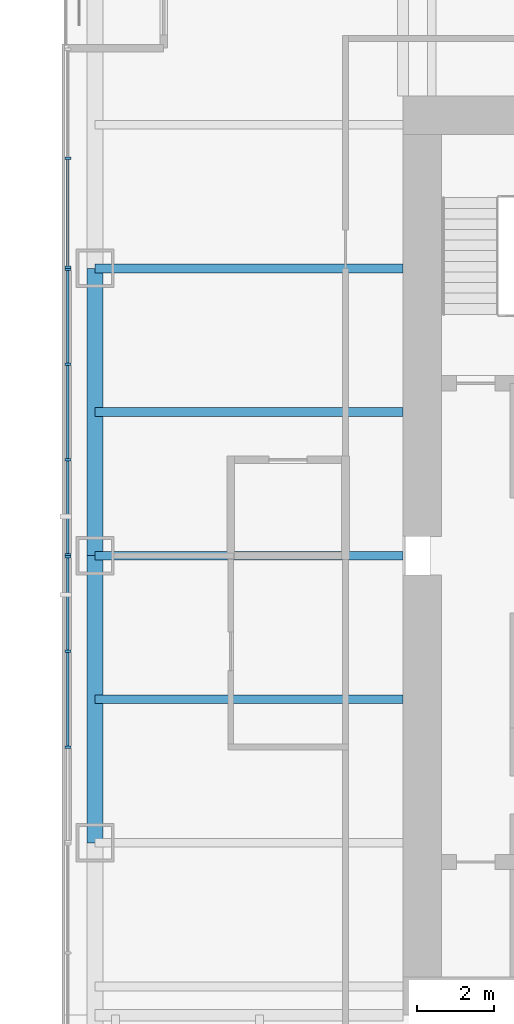
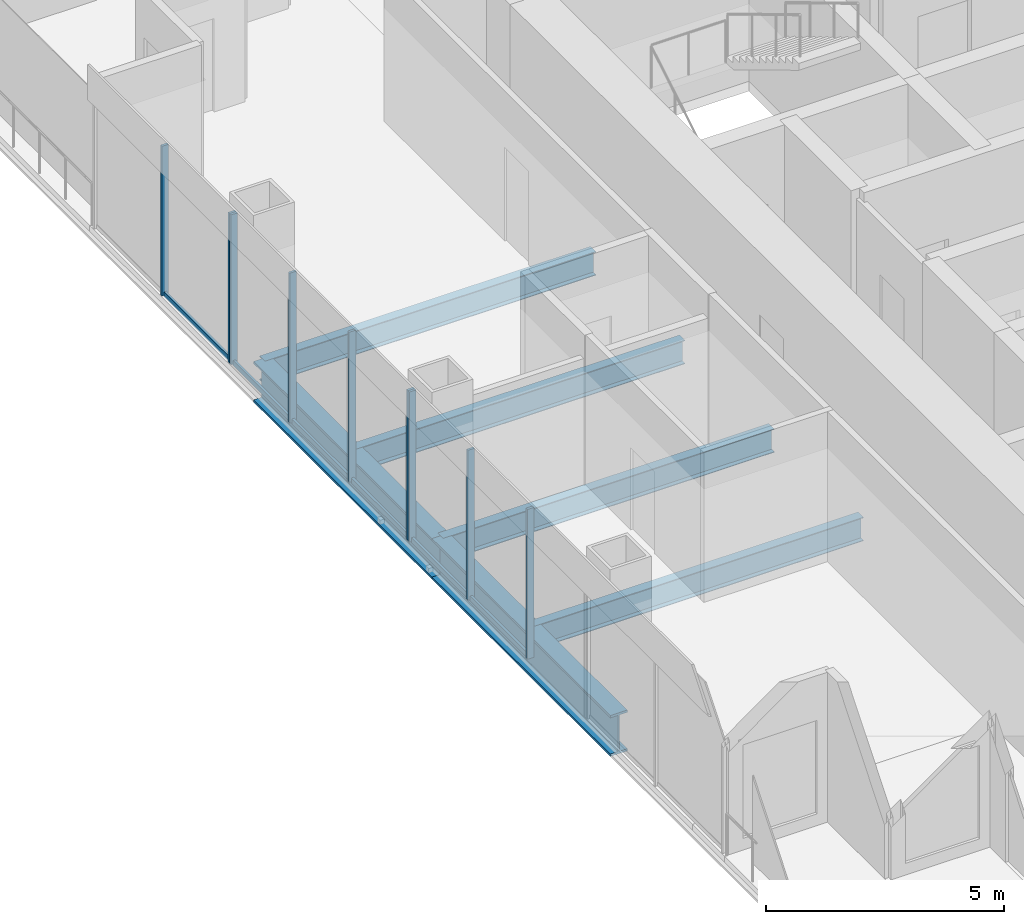
# One storey, part 4 of 14: 15 members, 6 beams, 3 elements without a shape of their own.
"""IFC4 building model written with IfcOpenShell, lengths in metres."""

from ifc_helpers import new_model, si_unit, direction, frame, origin, origin_2d, place, context, subcontext, project, spatial, rectangle, i_section, extrude, material, material_profile, profile_set, type_object, element, aggregate, save


model = new_model("IFC4")

# Units and contexts
model_context = context("Model", 3, precision=1e-05, world=origin(), true_north=direction((0.0, 1.0)))
body_context = subcontext(model_context, "Body", "Model", "MODEL_VIEW")
ifc_project = project(units=[si_unit("LENGTHUNIT", "METRE"), si_unit("AREAUNIT", "SQUARE_METRE"), si_unit("VOLUMEUNIT", "CUBIC_METRE"), si_unit("PLANEANGLEUNIT", "RADIAN"), si_unit("MASSUNIT", "GRAM", prefix="KILO")], contexts=[model_context])

# Site, building, storey
site_placement = place(None, origin())
site = spatial("IfcSite", under=ifc_project, at=site_placement, CompositionType="ELEMENT")
building_placement = place(site_placement, origin())
building = spatial("IfcBuilding", under=site, at=building_placement, Name="Tarangal Relay Tower", CompositionType="ELEMENT")
storey_placement = place(building_placement, frame((0.0, 0.0, 279.89990234375)))
storey = spatial("IfcBuildingStorey", under=building, at=storey_placement, Name="L61", CompositionType="ELEMENT", Elevation=279.89990234375)

# Beams
ifc_material_1 = material(Name="Steel ASTM A992", Category="steel")
ifc_material_profile_1 = material_profile(ifc_material_1, i_section(OverallWidth=0.41162109375, OverallDepth=1.049072265625, WebThickness=0.033935546875, FlangeThickness=0.059814453125, at=origin_2d()), Name="W40X431")
ifc_profile_set_1 = profile_set([ifc_material_profile_1], Name="Steel ASTM A992")
beam_type_1 = type_object("IfcBeamType", Name="Edge girder W40X431", PredefinedType="SPANDREL", material=ifc_profile_set_1)
for number, where, z_axis, x_axis, name in (
    (1, (-20.0400390625, -7.5, -0.67431640625), (0.0, 1.0, 0.0), (-1.0, 0.0, 0.0), "Edge girder EG1 W L61"),
    (2, (-20.0400390625, 0.0, -0.67431640625), (0.0, 1.0, 0.0), (-1.0, 0.0, 0.0), "Edge girder EG1 W L61"),
):
    element("IfcBeam", number, at=place(storey_placement, frame(where, z_axis=z_axis, x_axis=x_axis)), inside=storey, type_object=beam_type_1, Name=name, PredefinedType="SPANDREL", context=body_context, shape_type="SweptSolid", body=[
        extrude(i_section(OverallWidth=0.41162109375, OverallDepth=1.049072265625, WebThickness=0.033935546875, FlangeThickness=0.059814453125, at=origin_2d()), origin(), (0.0, 0.0, 1.0), 7.5),
    ])
ifc_material_profile_2 = material_profile(ifc_material_1, i_section(OverallWidth=0.228271484375, OverallDepth=0.607177734375, WebThickness=0.01123046875, FlangeThickness=0.017333984375, at=origin_2d()), Name="W24X76")
ifc_profile_set_2 = profile_set([ifc_material_profile_2], Name="Steel ASTM A992")
beam_type_2 = type_object("IfcBeamType", Name="Floor beam W24X76", PredefinedType="BEAM", material=ifc_profile_set_2)
for number, where, z_axis, x_axis, name in (
    (3, (-12.0, -3.75, -0.453369140625), (-1.0, 0.0, 0.0), (0.0, -1.0, 0.0), "Floor beam RB5 W L61"),
    (4, (-12.0, 0.0, -0.453369140625), (-1.0, 0.0, 0.0), (0.0, -1.0, 0.0), "Floor beam RB5 W L61"),
    (5, (-12.0, 3.75, -0.453369140625), (-1.0, 0.0, 0.0), (0.0, -1.0, 0.0), "Floor beam RB5 W L61"),
    (6, (-12.0, 7.5, -0.453369140625), (-1.0, 0.0, 0.0), (0.0, -1.0, 0.0), "Floor beam RB5 W L61"),
):
    element("IfcBeam", number, at=place(storey_placement, frame(where, z_axis=z_axis, x_axis=x_axis)), inside=storey, type_object=beam_type_2, Name=name, PredefinedType="BEAM", context=body_context, shape_type="SweptSolid", body=[
        extrude(i_section(OverallWidth=0.228271484375, OverallDepth=0.607177734375, WebThickness=0.01123046875, FlangeThickness=0.017333984375, at=origin_2d()), origin(), (0.0, 0.0, 1.0), 8.0400390625),
    ])

# Curtain wall, members
ifc_material_2 = material(Name="Unitised curtain wall, dark glass and black aluminium", Category="aluminium")
curtain_wall_type_1 = type_object("IfcCurtainWallType", Name="Curtain wall CW-B", PredefinedType="USERDEFINED", material=ifc_material_2)
curtain_wall_1_placement = place(storey_placement, origin())
curtain_wall_1 = element("IfcCurtainWall", 7, at=curtain_wall_1_placement, inside=storey, type_object=curtain_wall_type_1, Name="Curtain wall CW-B W facade L61", ObjectType="UNITISED CURTAIN WALL", PredefinedType="USERDEFINED")
ifc_material_3 = material(Name="Black anodised aluminium mullion", Category="aluminium")
ifc_material_profile_3 = material_profile(ifc_material_3, rectangle(XDim=0.159912109375, YDim=0.06005859375, at=origin_2d()), Name="CW-BM 60X160")
ifc_profile_set_3 = profile_set([ifc_material_profile_3], Name="Black anodised aluminium mullion")
member_type_1 = type_object("IfcMemberType", Name="Mullion CW-B 60 x 160", PredefinedType="MULLION", material=ifc_profile_set_3)
member_1_placement = place(storey_placement, frame((-20.75, 7.530029296875, 0.0), z_axis=(0.0, 0.0, 1.0), x_axis=(-1.0, 0.0, 0.0)))
member_1 = element("IfcMember", 8, at=member_1_placement, type_object=member_type_1, Name="CW-B mullion 1", PredefinedType="MULLION", context=body_context, shape_type="SweptSolid", body=[
    extrude(rectangle(XDim=0.159912109375, YDim=0.06005859375, at=origin_2d()), origin(), (0.0, 0.0, 1.0), 3.85009765625),
])
member_2_placement = place(storey_placement, frame((-20.75, 10.375, 0.0), z_axis=(0.0, 0.0, 1.0), x_axis=(-1.0, 0.0, 0.0)))
member_2 = element("IfcMember", 9, at=member_2_placement, type_object=member_type_1, Name="CW-B mullion 2", PredefinedType="MULLION", context=body_context, shape_type="SweptSolid", body=[
    extrude(rectangle(XDim=0.159912109375, YDim=0.06005859375, at=origin_2d()), origin(), (0.0, 0.0, 1.0), 3.85009765625),
])

ifc_material_4 = material(Name="Unitised curtain wall frame, black aluminium, with metal clad infill walls", Category="aluminium")
curtain_wall_type_2 = type_object("IfcCurtainWallType", Name="Curtain wall CW-BO", PredefinedType="USERDEFINED", material=ifc_material_4)
curtain_wall_2_placement = place(storey_placement, origin())
curtain_wall_2 = element("IfcCurtainWall", 10, at=curtain_wall_2_placement, inside=storey, type_object=curtain_wall_type_2, Name="Curtain wall CW-BO W facade L61", ObjectType="UNITISED CURTAIN WALL", PredefinedType="USERDEFINED")
ifc_material_profile_4 = material_profile(ifc_material_3, rectangle(XDim=0.159912109375, YDim=0.06005859375, at=origin_2d()), Name="CW-BOM 60X160")
ifc_profile_set_4 = profile_set([ifc_material_profile_4], Name="Black anodised aluminium mullion")
member_type_2 = type_object("IfcMemberType", Name="Mullion CW-BO 60 x 160", PredefinedType="MULLION", material=ifc_profile_set_4)
member_3_placement = place(storey_placement, frame((-20.75, -5.0, 0.0), z_axis=(0.0, 0.0, 1.0), x_axis=(-1.0, 0.0, 0.0)))
member_3 = element("IfcMember", 11, at=member_3_placement, type_object=member_type_2, Name="CW-BO mullion 2", PredefinedType="MULLION", context=body_context, shape_type="SweptSolid", body=[
    extrude(rectangle(XDim=0.159912109375, YDim=0.06005859375, at=origin_2d()), origin(), (0.0, 0.0, 1.0), 3.85009765625),
])
member_4_placement = place(storey_placement, frame((-20.75, -2.5, 0.0), z_axis=(0.0, 0.0, 1.0), x_axis=(-1.0, 0.0, 0.0)))
member_4 = element("IfcMember", 12, at=member_4_placement, type_object=member_type_2, Name="CW-BO mullion 3", PredefinedType="MULLION", context=body_context, shape_type="SweptSolid", body=[
    extrude(rectangle(XDim=0.159912109375, YDim=0.06005859375, at=origin_2d()), origin(), (0.0, 0.0, 1.0), 3.85009765625),
])
member_5_placement = place(storey_placement, frame((-20.75, -0.030029296875, 0.0), z_axis=(0.0, 0.0, 1.0), x_axis=(-1.0, 0.0, 0.0)))
member_5 = element("IfcMember", 13, at=member_5_placement, type_object=member_type_2, Name="CW-BO mullion 4", PredefinedType="MULLION", context=body_context, shape_type="SweptSolid", body=[
    extrude(rectangle(XDim=0.159912109375, YDim=0.06005859375, at=origin_2d()), origin(), (0.0, 0.0, 1.0), 3.85009765625),
])

curtain_wall_3_placement = place(storey_placement, origin())
curtain_wall_3 = element("IfcCurtainWall", 14, at=curtain_wall_3_placement, inside=storey, type_object=curtain_wall_type_2, Name="Curtain wall CW-BO W facade L61", ObjectType="UNITISED CURTAIN WALL", PredefinedType="USERDEFINED")
member_6_placement = place(storey_placement, frame((-20.75, 0.030029296875, 0.0), z_axis=(0.0, 0.0, 1.0), x_axis=(-1.0, 0.0, 0.0)))
member_6 = element("IfcMember", 15, at=member_6_placement, type_object=member_type_2, Name="CW-BO mullion 1", PredefinedType="MULLION", context=body_context, shape_type="SweptSolid", body=[
    extrude(rectangle(XDim=0.159912109375, YDim=0.06005859375, at=origin_2d()), origin(), (0.0, 0.0, 1.0), 3.85009765625),
])
member_7_placement = place(storey_placement, frame((-20.75, 2.5, 0.0), z_axis=(0.0, 0.0, 1.0), x_axis=(-1.0, 0.0, 0.0)))
member_7 = element("IfcMember", 16, at=member_7_placement, type_object=member_type_2, Name="CW-BO mullion 2", PredefinedType="MULLION", context=body_context, shape_type="SweptSolid", body=[
    extrude(rectangle(XDim=0.159912109375, YDim=0.06005859375, at=origin_2d()), origin(), (0.0, 0.0, 1.0), 3.85009765625),
])
member_8_placement = place(storey_placement, frame((-20.75, 5.0, 0.0), z_axis=(0.0, 0.0, 1.0), x_axis=(-1.0, 0.0, 0.0)))
member_8 = element("IfcMember", 17, at=member_8_placement, type_object=member_type_2, Name="CW-BO mullion 3", PredefinedType="MULLION", context=body_context, shape_type="SweptSolid", body=[
    extrude(rectangle(XDim=0.159912109375, YDim=0.06005859375, at=origin_2d()), origin(), (0.0, 0.0, 1.0), 3.85009765625),
])
member_9_placement = place(storey_placement, frame((-20.75, 7.469970703125, 0.0), z_axis=(0.0, 0.0, 1.0), x_axis=(-1.0, 0.0, 0.0)))
member_9 = element("IfcMember", 18, at=member_9_placement, type_object=member_type_2, Name="CW-BO mullion 4", PredefinedType="MULLION", context=body_context, shape_type="SweptSolid", body=[
    extrude(rectangle(XDim=0.159912109375, YDim=0.06005859375, at=origin_2d()), origin(), (0.0, 0.0, 1.0), 3.85009765625),
])

# Member
ifc_material_5 = material(Name="Black anodised aluminium transom", Category="aluminium")
ifc_material_profile_5 = material_profile(ifc_material_5, rectangle(XDim=0.06005859375, YDim=0.1298828125, at=origin_2d()), Name="CW-BT 60X130")
ifc_profile_set_5 = profile_set([ifc_material_profile_5], Name="Black anodised aluminium transom")
member_type_3 = type_object("IfcMemberType", Name="Transom CW-B 60 x 130", PredefinedType="USERDEFINED", material=ifc_profile_set_5)
member_10_placement = place(storey_placement, frame((-20.75, 7.56005859375, 0.030029296875), z_axis=(0.0, 1.0, 0.0), x_axis=(-1.0, 0.0, 0.0)))
member_10 = element("IfcMember", 19, at=member_10_placement, type_object=member_type_3, Name="CW-B transom 1.1", ObjectType="TRANSOM", PredefinedType="USERDEFINED", context=body_context, shape_type="SweptSolid", body=[
    extrude(rectangle(XDim=0.06005859375, YDim=0.1298828125, at=origin_2d()), origin(), (0.0, 0.0, 1.0), 2.784912109375),
])

aggregate(curtain_wall_1, [member_1, member_2, member_10])

ifc_material_profile_6 = material_profile(ifc_material_5, rectangle(XDim=0.06005859375, YDim=0.1298828125, at=origin_2d()), Name="CW-BOT 60X130")
ifc_profile_set_6 = profile_set([ifc_material_profile_6], Name="Black anodised aluminium transom")
member_type_4 = type_object("IfcMemberType", Name="Transom CW-BO 60 x 130", PredefinedType="USERDEFINED", material=ifc_profile_set_6)
member_11_placement = place(storey_placement, frame((-20.75, -4.969970703125, 0.030029296875), z_axis=(0.0, 1.0, 0.0), x_axis=(-1.0, 0.0, 0.0)))
member_11 = element("IfcMember", 20, at=member_11_placement, type_object=member_type_4, Name="CW-BO transom 2.1", ObjectType="TRANSOM", PredefinedType="USERDEFINED", context=body_context, shape_type="SweptSolid", body=[
    extrude(rectangle(XDim=0.06005859375, YDim=0.1298828125, at=origin_2d()), origin(), (0.0, 0.0, 1.0), 2.43994140625),
])

member_12_placement = place(storey_placement, frame((-20.75, -2.469970703125, 0.030029296875), z_axis=(0.0, 1.0, 0.0), x_axis=(-1.0, 0.0, 0.0)))
member_12 = element("IfcMember", 21, at=member_12_placement, type_object=member_type_4, Name="CW-BO transom 3.1", ObjectType="TRANSOM", PredefinedType="USERDEFINED", context=body_context, shape_type="SweptSolid", body=[
    extrude(rectangle(XDim=0.06005859375, YDim=0.1298828125, at=origin_2d()), origin(), (0.0, 0.0, 1.0), 2.409912109375),
])

aggregate(curtain_wall_2, [member_3, member_4, member_5, member_11, member_12])

member_13_placement = place(storey_placement, frame((-20.75, 0.06005859375, 0.030029296875), z_axis=(0.0, 1.0, 0.0), x_axis=(-1.0, 0.0, 0.0)))
member_13 = element("IfcMember", 22, at=member_13_placement, type_object=member_type_4, Name="CW-BO transom 1.1", ObjectType="TRANSOM", PredefinedType="USERDEFINED", context=body_context, shape_type="SweptSolid", body=[
    extrude(rectangle(XDim=0.06005859375, YDim=0.1298828125, at=origin_2d()), origin(), (0.0, 0.0, 1.0), 2.409912109375),
])

member_14_placement = place(storey_placement, frame((-20.75, 2.530029296875, 0.030029296875), z_axis=(0.0, 1.0, 0.0), x_axis=(-1.0, 0.0, 0.0)))
member_14 = element("IfcMember", 23, at=member_14_placement, type_object=member_type_4, Name="CW-BO transom 2.1", ObjectType="TRANSOM", PredefinedType="USERDEFINED", context=body_context, shape_type="SweptSolid", body=[
    extrude(rectangle(XDim=0.06005859375, YDim=0.1298828125, at=origin_2d()), origin(), (0.0, 0.0, 1.0), 2.43994140625),
])

member_15_placement = place(storey_placement, frame((-20.75, 5.030029296875, 0.030029296875), z_axis=(0.0, 1.0, 0.0), x_axis=(-1.0, 0.0, 0.0)))
member_15 = element("IfcMember", 24, at=member_15_placement, type_object=member_type_4, Name="CW-BO transom 3.1", ObjectType="TRANSOM", PredefinedType="USERDEFINED", context=body_context, shape_type="SweptSolid", body=[
    extrude(rectangle(XDim=0.06005859375, YDim=0.1298828125, at=origin_2d()), origin(), (0.0, 0.0, 1.0), 2.409912109375),
])

aggregate(curtain_wall_3, [member_6, member_7, member_8, member_9, member_13, member_14, member_15])

save(model, "model.ifc")
